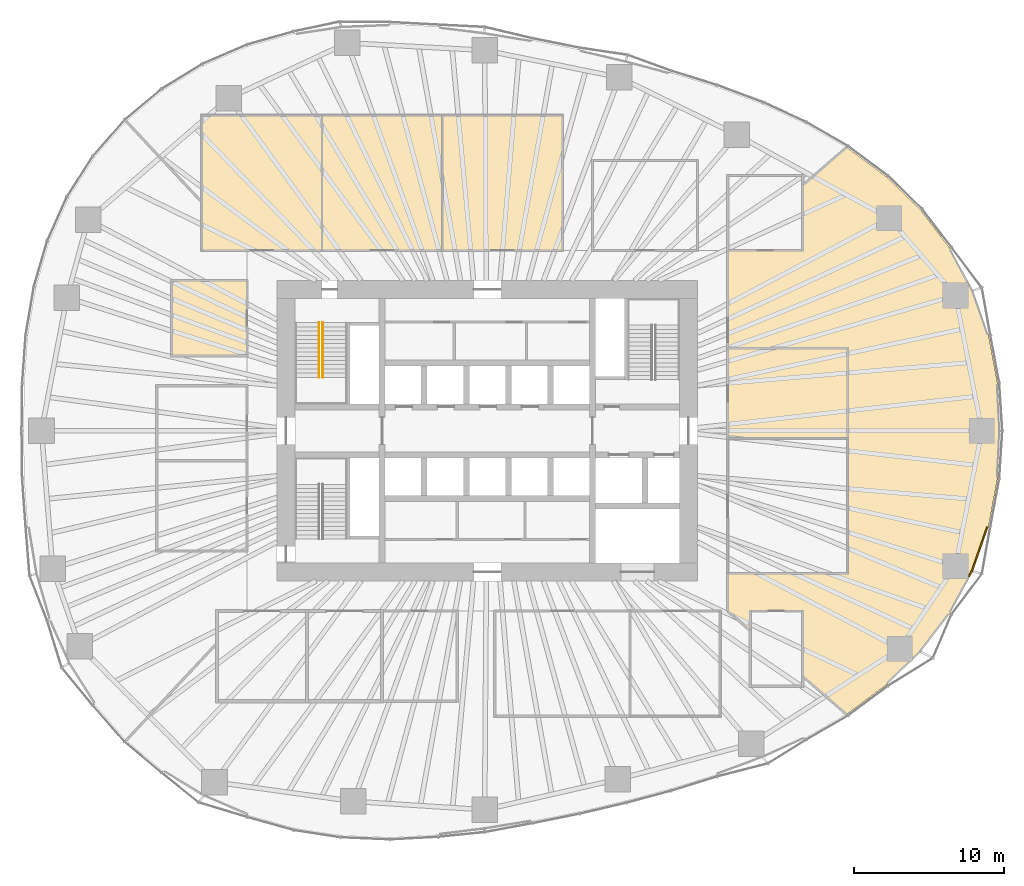
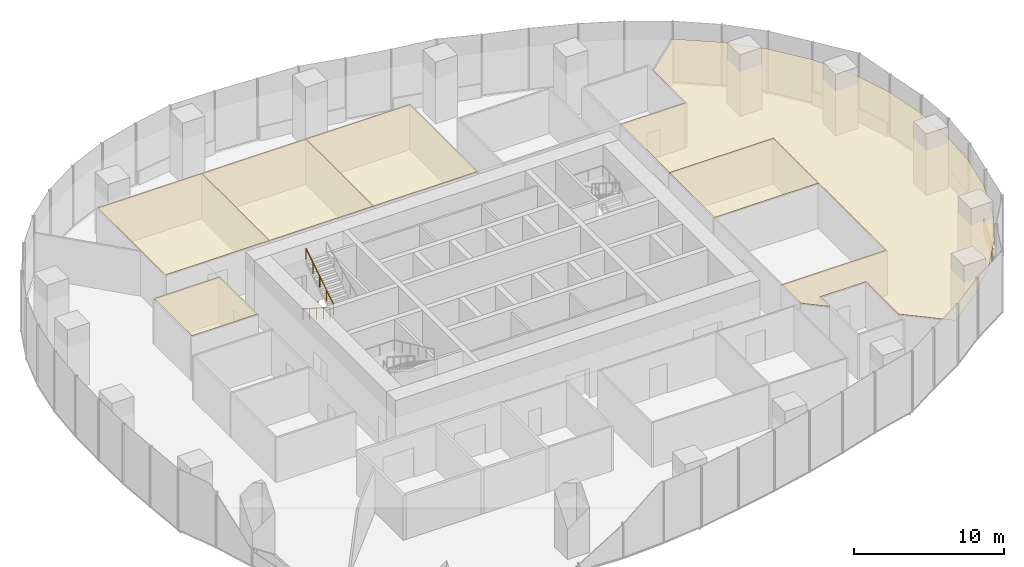
# One storey, part 19 of 20: 8 coverings, 2 railings.
"""IFC4 building model written with IfcOpenShell, lengths in metres."""

from ifc_helpers import new_model, si_unit, direction, frame, origin, origin_2d, place, context, subcontext, project, spatial, polyline, rectangle, circle, outline, extrude, material, layer, layer_set, type_object, element, save


model = new_model("IFC4")

# Units and contexts
model_context = context("Model", 3, precision=1e-05, world=origin(), true_north=direction((0.0, 1.0)))
body_context = subcontext(model_context, "Body", "Model", "MODEL_VIEW")
ifc_project = project(units=[si_unit("LENGTHUNIT", "METRE"), si_unit("AREAUNIT", "SQUARE_METRE"), si_unit("VOLUMEUNIT", "CUBIC_METRE"), si_unit("PLANEANGLEUNIT", "RADIAN"), si_unit("MASSUNIT", "GRAM", prefix="KILO")], contexts=[model_context])

# Site, building, storey
site_placement = place(None, origin())
site = spatial("IfcSite", under=ifc_project, at=site_placement, CompositionType="ELEMENT")
building_placement = place(site_placement, origin())
building = spatial("IfcBuilding", under=site, at=building_placement, Name="Ghaith Harvest Tower", CompositionType="ELEMENT")
storey_placement = place(building_placement, frame((0.0, 0.0, 60.0)))
storey = spatial("IfcBuildingStorey", under=building, at=storey_placement, Name="L12", CompositionType="ELEMENT", Elevation=60.0)

# Coverings
ifc_material_1 = material(Name="Mineral fibre ceiling tile", Category="gypsum")
ifc_layer_1 = layer(ifc_material_1, 0.02490234375)
ifc_layer_set_1 = layer_set([ifc_layer_1], Name="CEILING C2")
covering_type_1 = type_object("IfcCoveringType", Name="CEILING C2", PredefinedType="CEILING", material=ifc_layer_set_1)
covering_1_placement = place(storey_placement, frame((0.0, 0.0, 3.60009765625)))
element("IfcCovering", 1, at=covering_1_placement, inside=storey, type_object=covering_type_1, Name="Ceiling L12-01", PredefinedType="CEILING", context=body_context, shape_type="SweptSolid", body=[
    extrude(outline(polyline([(-19.0, 12.0), (-11.0, 12.0), (-11.0, 21.0), (-19.0, 21.0), (-19.0, 12.0)])), origin(), (0.0, 0.0, 1.0), 0.02490234375),
])
covering_2_placement = place(storey_placement, frame((0.0, 0.0, 3.60009765625)))
element("IfcCovering", 2, at=covering_2_placement, inside=storey, type_object=covering_type_1, Name="Ceiling L12-02", PredefinedType="CEILING", context=body_context, shape_type="SweptSolid", body=[
    extrude(outline(polyline([(-11.0, 12.0), (-3.0, 12.0), (-3.0, 21.0), (-11.0, 21.0), (-11.0, 12.0)])), origin(), (0.0, 0.0, 1.0), 0.02490234375),
])
covering_3_placement = place(storey_placement, frame((0.0, 0.0, 3.60009765625)))
element("IfcCovering", 3, at=covering_3_placement, inside=storey, type_object=covering_type_1, Name="Ceiling L12-03", PredefinedType="CEILING", context=body_context, shape_type="SweptSolid", body=[
    extrude(outline(polyline([(-3.0, 12.0), (5.0, 12.0), (5.0, 21.0), (-3.0, 21.0), (-3.0, 12.0)])), origin(), (0.0, 0.0, 1.0), 0.02490234375),
])
covering_4_placement = place(storey_placement, frame((0.0, 0.0, 3.60009765625)))
element("IfcCovering", 4, at=covering_4_placement, inside=storey, type_object=covering_type_1, Name="Ceiling L12-06", PredefinedType="CEILING", context=body_context, shape_type="SweptSolid", body=[
    extrude(outline(polyline([(16.0, -0.5), (24.0, -0.5), (24.0, 5.5), (16.0, 5.5), (16.0, -0.5)])), origin(), (0.0, 0.0, 1.0), 0.02490234375),
])
covering_5_placement = place(storey_placement, frame((0.0, 0.0, 3.60009765625)))
element("IfcCovering", 5, at=covering_5_placement, inside=storey, type_object=covering_type_1, Name="Ceiling L12-16", PredefinedType="CEILING", context=body_context, shape_type="SweptSolid", body=[
    extrude(outline(polyline([(-21.0, 5.0), (-16.0, 5.0), (-16.0, 10.0), (-21.0, 10.0), (-21.0, 5.0)])), origin(), (0.0, 0.0, 1.0), 0.02490234375),
])
covering_6_placement = place(storey_placement, frame((0.0, 0.0, 3.60009765625)))
element("IfcCovering", 6, at=covering_6_placement, inside=storey, type_object=covering_type_1, Name="Ceiling L12-E1", PredefinedType="CEILING", context=body_context, shape_type="SweptSolid", body=[
    extrude(outline(polyline([(26.572509765625, 16.9111328125), (28.840087890625, 14.708984375), (30.78515625, 12.1708984375), (32.318359375, 9.3408203125), (33.37158203125, 6.333984375), (33.95849609375, 3.194091796875), (34.125, 0.0), (33.95849609375, -3.194091796875), (33.37158203125, -6.333984375), (32.318359375, -9.3408203125), (30.78515625, -12.1708984375), (28.840087890625, -14.708984375), (26.572509765625, -16.9111328125), (23.92431640625, -18.873046875), (21.0, -16.336669921875), (21.0, -12.0), (17.5, -12.0), (17.5, -13.301025390625), (16.0, -12.0), (16.0, -9.5), (24.0, -9.5), (24.0, 5.5), (16.0, 5.5), (16.0, 12.0), (21.0, 12.0), (21.0, 16.336669921875), (23.92431640625, 18.873046875), (26.572509765625, 16.9111328125)])), origin(), (0.0, 0.0, 1.0), 0.02490234375),
])

# Railings
ifc_material_2 = material(Name="Steel, black powder-coated", Category="steel")
railing_type = type_object("IfcRailingType", Name="HANDRAIL HR1", PredefinedType="HANDRAIL", material=ifc_material_2)
railing_1_placement = place(storey_placement, frame((-11.199951171875, 7.199951171875, 0.178466796875)))
element("IfcRailing", 7, at=railing_1_placement, inside=storey, type_object=railing_type, Name="Handrail HR1 stair ST1 L12 flight 1 inner", PredefinedType="HANDRAIL", context=body_context, shape_type="SweptSolid", body=[
    extrude(circle(Radius=0.02392578125, at=origin_2d()), frame((0.0, 0.0, 0.8759765625), z_axis=(0.0, -0.843111507901, 0.53773877045), x_axis=(1.0, 0.0, 0.0)), (0.0, 0.0, 1.0), 4.317138671875),
    extrude(circle(Radius=0.02099609375, at=origin_2d()), origin(), (0.0, 0.0, 1.0), 0.851806640625),
    extrude(circle(Radius=0.02099609375, at=origin_2d()), frame((0.0, -0.909912109375, 0.580322265625)), (0.0, 0.0, 1.0), 0.851806640625),
    extrude(circle(Radius=0.02099609375, at=origin_2d()), frame((0.0, -1.81982421875, 1.16064453125)), (0.0, 0.0, 1.0), 0.851806640625),
    extrude(circle(Radius=0.02099609375, at=origin_2d()), frame((0.0, -2.72998046875, 1.7412109375)), (0.0, 0.0, 1.0), 0.851806640625),
    extrude(circle(Radius=0.02099609375, at=origin_2d()), frame((0.0, -3.639892578125, 2.321533203125)), (0.0, 0.0, 1.0), 0.851806640625),
])
railing_2_placement = place(storey_placement, frame((-10.949951171875, 3.56005859375, 2.678466796875)))
element("IfcRailing", 8, at=railing_2_placement, inside=storey, type_object=railing_type, Name="Handrail HR1 stair ST1 L12 flight 2 inner", PredefinedType="HANDRAIL", context=body_context, shape_type="SweptSolid", body=[
    extrude(circle(Radius=0.02392578125, at=origin_2d()), frame((0.0, 0.0, 0.8759765625), z_axis=(0.0, 0.843111507901, 0.53773877045), x_axis=(-1.0, 0.0, 0.0)), (0.0, 0.0, 1.0), 4.317138671875),
    extrude(circle(Radius=0.02099609375, at=origin_2d()), origin(), (0.0, 0.0, 1.0), 0.851806640625),
    extrude(circle(Radius=0.02099609375, at=origin_2d()), frame((0.0, 0.909912109375, 0.580322265625)), (0.0, 0.0, 1.0), 0.851806640625),
    extrude(circle(Radius=0.02099609375, at=origin_2d()), frame((0.0, 1.81982421875, 1.16064453125)), (0.0, 0.0, 1.0), 0.851806640625),
    extrude(circle(Radius=0.02099609375, at=origin_2d()), frame((0.0, 2.72998046875, 1.7412109375)), (0.0, 0.0, 1.0), 0.851806640625),
    extrude(circle(Radius=0.02099609375, at=origin_2d()), frame((0.0, 3.639892578125, 2.321533203125)), (0.0, 0.0, 1.0), 0.851806640625),
])

# Coverings
ifc_material_3 = material(Name="Insulated aluminium spandrel panel on steel framing", Category="steel")
ifc_layer_2 = layer(ifc_material_3, 0.10009765625)
ifc_layer_set_2 = layer_set([ifc_layer_2], Name="SLAB EDGE UPSTAND 1100x100")
covering_type_2 = type_object("IfcCoveringType", Name="SLAB EDGE UPSTAND 1100x100", PredefinedType="CLADDING", material=ifc_layer_set_2)
covering_7_placement = place(storey_placement, frame((32.172119140625, -9.505615234375, 0.0), z_axis=(0.0, 0.0, 1.0), x_axis=(0.4763492928, 0.879256135178, 0.0)))
element("IfcCovering", 9, at=covering_7_placement, inside=storey, type_object=covering_type_2, Name="Slab edge upstand 3 bay 19 L12", PredefinedType="CLADDING", context=body_context, shape_type="SweptSolid", body=[
    extrude(rectangle(XDim=0.42919921875, YDim=0.10009765625, at=origin_2d()), origin(), (0.0, 0.0, 1.0), 1.10009765625),
])
covering_8_placement = place(storey_placement, frame((32.78125, -7.867919921875, 0.0), z_axis=(0.0, 0.0, 1.0), x_axis=(0.330597697302, 0.943771774604, 0.0)))
element("IfcCovering", 10, at=covering_8_placement, inside=storey, type_object=covering_type_2, Name="Slab edge upstand 1 bay 20 L12", PredefinedType="CLADDING", context=body_context, shape_type="SweptSolid", body=[
    extrude(rectangle(XDim=3.0859375, YDim=0.10009765625, at=origin_2d()), origin(), (0.0, 0.0, 1.0), 1.10009765625),
])

save(model, "model.ifc")
